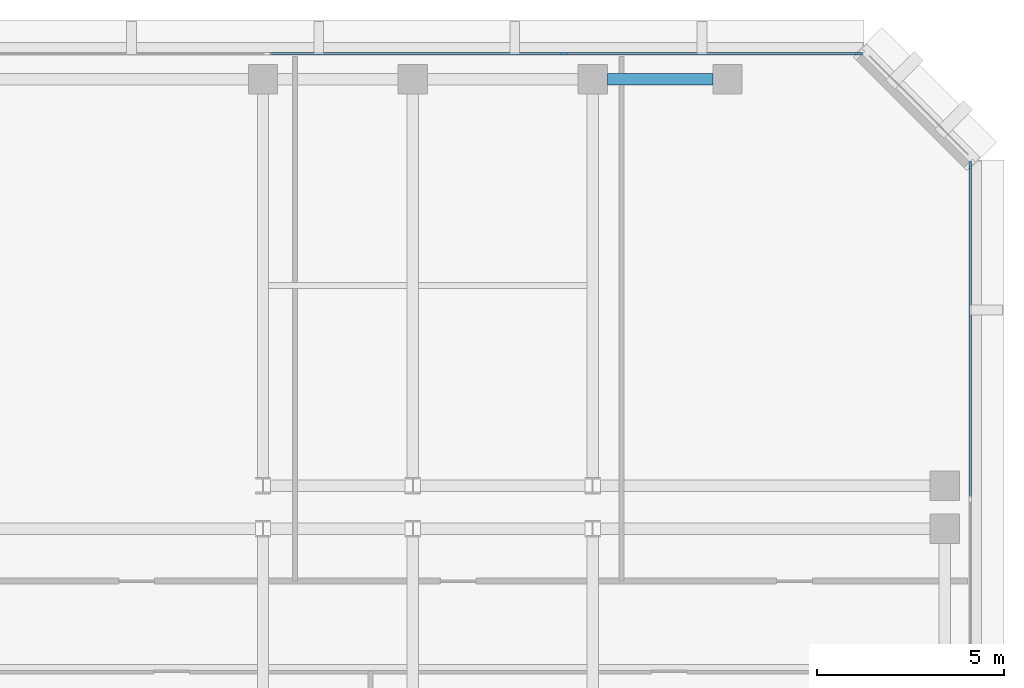
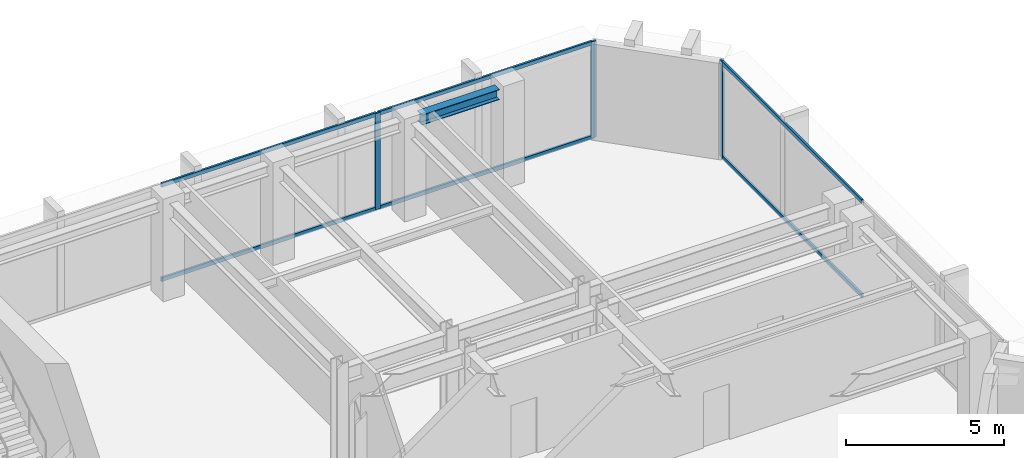
# One storey, part 5 of 12: 9 members, 1 beam, 2 elements without a shape of their own.
"""IFC4 building model written with IfcOpenShell, lengths in metres."""

from ifc_helpers import new_model, si_unit, direction, frame, origin, origin_2d, place, context, subcontext, project, spatial, rectangle, i_section, extrude, material, layer, layer_set, material_profile, profile_set, type_object, element, aggregate, save


model = new_model("IFC4")

# Units and contexts
model_context = context("Model", 3, precision=1e-05, world=origin(), true_north=direction((0.0, 1.0)))
body_context = subcontext(model_context, "Body", "Model", "MODEL_VIEW")
ifc_project = project(units=[si_unit("LENGTHUNIT", "METRE"), si_unit("AREAUNIT", "SQUARE_METRE"), si_unit("VOLUMEUNIT", "CUBIC_METRE"), si_unit("PLANEANGLEUNIT", "RADIAN"), si_unit("MASSUNIT", "GRAM", prefix="KILO")], contexts=[model_context])

# Site, building, storey
site_placement = place(None, origin())
site = spatial("IfcSite", under=ifc_project, at=site_placement, CompositionType="ELEMENT")
building_placement = place(site_placement, origin())
building = spatial("IfcBuilding", under=site, at=building_placement, Name="Kefirva Bronze Tower", CompositionType="ELEMENT")
storey_placement = place(building_placement, frame((0.0, 0.0, 199.320068359375)))
storey = spatial("IfcBuildingStorey", under=building, at=storey_placement, Name="L48", CompositionType="ELEMENT", Elevation=199.320068359375)

# Curtain wall, member
ifc_material_1 = material(Name="Bronze anodised aluminium", Category="aluminium")
ifc_layer = layer(ifc_material_1, 0.179931640625, Name="Bronze anodised aluminium")
ifc_layer_set = layer_set([ifc_layer], Name="Bronze anodised aluminium")
curtain_wall_type = type_object("IfcCurtainWallType", Name="Unitised Bronze Ribbon Curtain Wall Zone 3", PredefinedType="USERDEFINED", material=ifc_layer_set)
curtain_wall_1_placement = place(storey_placement, origin())
curtain_wall_1 = element("IfcCurtainWall", 1, at=curtain_wall_1_placement, inside=storey, type_object=curtain_wall_type, Name="L48 Curtain Wall 2", ObjectType="UNITISED CURTAIN WALL", PredefinedType="USERDEFINED")
ifc_material_profile_1 = material_profile(ifc_material_1, rectangle(XDim=0.074951171875, YDim=0.179931640625, at=origin_2d()), Name="ALU 75x180")
ifc_profile_set_1 = profile_set([ifc_material_profile_1], Name="Bronze anodised aluminium")
member_type_1 = type_object("IfcMemberType", Name="Bronze Mullion 75x180", PredefinedType="MULLION", material=ifc_profile_set_1)
member_1_placement = place(storey_placement, frame((50.080078125, 42.907470703125, 0.0), z_axis=(0.0, 0.0, 1.0), x_axis=(-1.0, 0.0, 0.0)))
member_1 = element("IfcMember", 2, at=member_1_placement, type_object=member_type_1, Name="CW-03 mullion 3", PredefinedType="MULLION", context=body_context, shape_type="SweptSolid", body=[
    extrude(rectangle(XDim=0.074951171875, YDim=0.179931640625, at=origin_2d()), origin(), (0.0, 0.0, 1.0), 3.7099609375),
])

# Curtain wall, members
curtain_wall_2_placement = place(storey_placement, origin())
curtain_wall_2 = element("IfcCurtainWall", 3, at=curtain_wall_2_placement, inside=storey, type_object=curtain_wall_type, Name="L48 Curtain Wall 3", ObjectType="UNITISED CURTAIN WALL", PredefinedType="USERDEFINED")
member_2_placement = place(storey_placement, frame((47.107421875, 45.8798828125, 0.0), z_axis=(0.0, 0.0, 1.0), x_axis=(0.0, -1.0, 0.0)))
member_2 = element("IfcMember", 4, at=member_2_placement, type_object=member_type_1, Name="CW-03 mullion 1", PredefinedType="MULLION", context=body_context, shape_type="SweptSolid", body=[
    extrude(rectangle(XDim=0.074951171875, YDim=0.179931640625, at=origin_2d()), origin(), (0.0, 0.0, 1.0), 3.7099609375),
])
member_3_placement = place(storey_placement, frame((39.231689453125, 45.8798828125, 0.0), z_axis=(0.0, 0.0, 1.0), x_axis=(0.0, -1.0, 0.0)))
member_3 = element("IfcMember", 5, at=member_3_placement, type_object=member_type_1, Name="CW-03 mullion 2", PredefinedType="MULLION", context=body_context, shape_type="SweptSolid", body=[
    extrude(rectangle(XDim=0.074951171875, YDim=0.179931640625, at=origin_2d()), origin(), (0.0, 0.0, 1.0), 3.7099609375),
])

# Member
ifc_material_profile_2 = material_profile(ifc_material_1, rectangle(XDim=0.074951171875, YDim=0.14990234375, at=origin_2d()), Name="ALU 75x150")
ifc_profile_set_2 = profile_set([ifc_material_profile_2], Name="Bronze anodised aluminium")
member_type_2 = type_object("IfcMemberType", Name="Bronze Transom 75x150", PredefinedType="USERDEFINED", material=ifc_profile_set_2)
member_4_placement = place(storey_placement, frame((50.080078125, 34.03759765625, 0.037353515625), z_axis=(0.0, 1.0, 0.0), x_axis=(-1.0, 0.0, 0.0)))
member_4 = element("IfcMember", 6, at=member_4_placement, type_object=member_type_2, Name="CW-03 transom 2.1", ObjectType="TRANSOM", PredefinedType="USERDEFINED", context=body_context, shape_type="SweptSolid", body=[
    extrude(rectangle(XDim=0.074951171875, YDim=0.14990234375, at=origin_2d()), origin(), (0.0, 0.0, 1.0), 8.83251953125),
])

member_5_placement = place(storey_placement, frame((50.080078125, 34.03759765625, 3.67236328125), z_axis=(0.0, 1.0, 0.0), x_axis=(-1.0, 0.0, 0.0)))
member_5 = element("IfcMember", 7, at=member_5_placement, type_object=member_type_2, Name="CW-03 transom 2.2", ObjectType="TRANSOM", PredefinedType="USERDEFINED", context=body_context, shape_type="SweptSolid", body=[
    extrude(rectangle(XDim=0.074951171875, YDim=0.14990234375, at=origin_2d()), origin(), (0.0, 0.0, 1.0), 8.83251953125),
])

aggregate(curtain_wall_1, [member_1, member_4, member_5])

member_6_placement = place(storey_placement, frame((47.070068359375, 45.8798828125, 0.037353515625), z_axis=(-1.0, 0.0, 0.0), x_axis=(0.0, -1.0, 0.0)))
member_6 = element("IfcMember", 8, at=member_6_placement, type_object=member_type_2, Name="CW-03 transom 1.1", ObjectType="TRANSOM", PredefinedType="USERDEFINED", context=body_context, shape_type="SweptSolid", body=[
    extrude(rectangle(XDim=0.074951171875, YDim=0.14990234375, at=origin_2d()), origin(), (0.0, 0.0, 1.0), 7.80078125),
])

member_7_placement = place(storey_placement, frame((47.070068359375, 45.8798828125, 3.67236328125), z_axis=(-1.0, 0.0, 0.0), x_axis=(0.0, -1.0, 0.0)))
member_7 = element("IfcMember", 9, at=member_7_placement, type_object=member_type_2, Name="CW-03 transom 1.2", ObjectType="TRANSOM", PredefinedType="USERDEFINED", context=body_context, shape_type="SweptSolid", body=[
    extrude(rectangle(XDim=0.074951171875, YDim=0.14990234375, at=origin_2d()), origin(), (0.0, 0.0, 1.0), 7.80078125),
])

member_8_placement = place(storey_placement, frame((39.194091796875, 45.8798828125, 0.037353515625), z_axis=(-1.0, 0.0, 0.0), x_axis=(0.0, -1.0, 0.0)))
member_8 = element("IfcMember", 10, at=member_8_placement, type_object=member_type_2, Name="CW-03 transom 2.1", ObjectType="TRANSOM", PredefinedType="USERDEFINED", context=body_context, shape_type="SweptSolid", body=[
    extrude(rectangle(XDim=0.074951171875, YDim=0.14990234375, at=origin_2d()), origin(), (0.0, 0.0, 1.0), 7.83837890625),
])

member_9_placement = place(storey_placement, frame((39.194091796875, 45.8798828125, 3.67236328125), z_axis=(-1.0, 0.0, 0.0), x_axis=(0.0, -1.0, 0.0)))
member_9 = element("IfcMember", 11, at=member_9_placement, type_object=member_type_2, Name="CW-03 transom 2.2", ObjectType="TRANSOM", PredefinedType="USERDEFINED", context=body_context, shape_type="SweptSolid", body=[
    extrude(rectangle(XDim=0.074951171875, YDim=0.14990234375, at=origin_2d()), origin(), (0.0, 0.0, 1.0), 7.83837890625),
])

aggregate(curtain_wall_2, [member_2, member_3, member_6, member_7, member_8, member_9])

# Beam
ifc_material_2 = material(Name="Steel S355", Category="steel")
ifc_material_profile_3 = material_profile(ifc_material_2, i_section(OverallWidth=0.300048828125, OverallDepth=0.39990234375, WebThickness=0.013427734375, FlangeThickness=0.02392578125, at=origin_2d()), Name="HEB 400")
ifc_profile_set_3 = profile_set([ifc_material_profile_3], Name="Steel S355")
beam_type = type_object("IfcBeamType", Name="Steel Spandrel HEB 400 Ext", PredefinedType="SPANDREL", material=ifc_profile_set_3)
beam_placement = place(storey_placement, frame((40.389892578125, 45.199951171875, 3.510009765625), z_axis=(1.0, 0.0, 0.0), x_axis=(0.0, 1.0, 0.0)))
element("IfcBeam", 12, at=beam_placement, inside=storey, type_object=beam_type, Name="L48 BM-L48-EW-40-452", PredefinedType="SPANDREL", context=body_context, shape_type="SweptSolid", body=[
    extrude(i_section(OverallWidth=0.300048828125, OverallDepth=0.39990234375, WebThickness=0.013427734375, FlangeThickness=0.02392578125, at=origin_2d()), origin(), (0.0, 0.0, 1.0), 2.820068359375),
])

save(model, "model.ifc")
